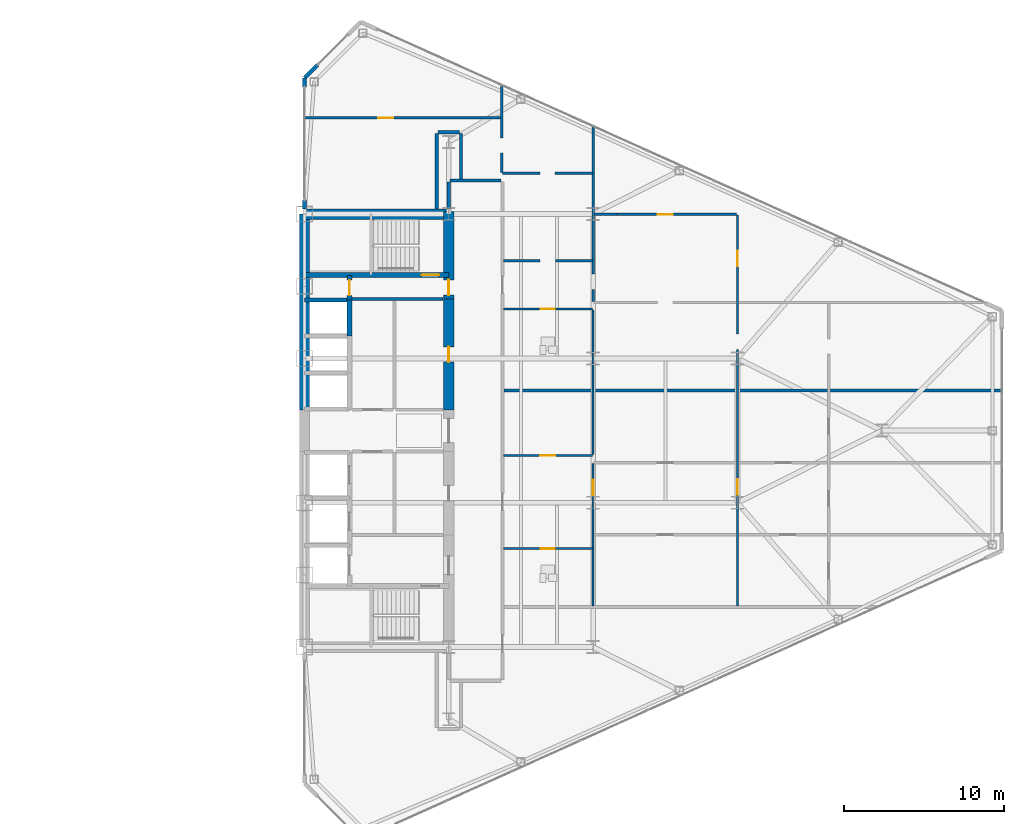
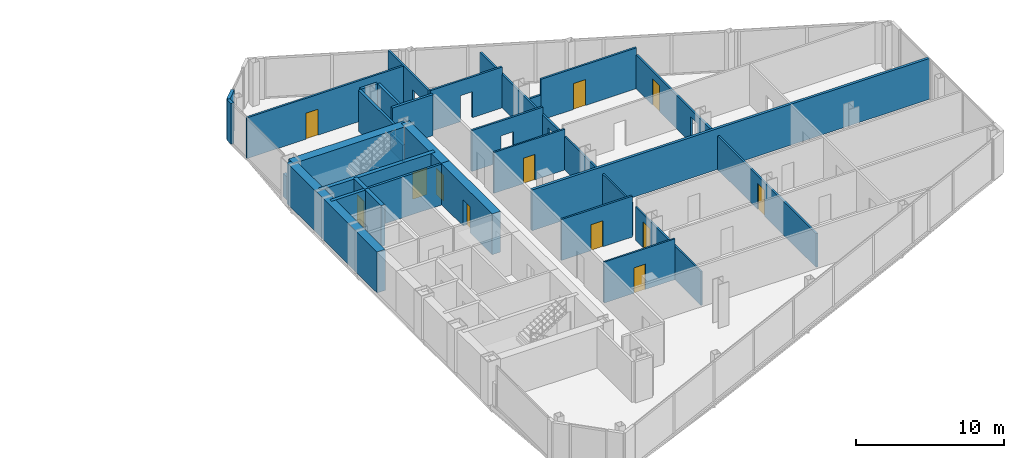
# One storey, part 23 of 27: 31 walls, 12 doors, 17 openings.
"""IFC4 building model written with IfcOpenShell, lengths in metres."""

from ifc_helpers import new_model, si_unit, direction, frame, frame_2d, origin, place, context, subcontext, project, spatial, rectangle, extrude, source, transform, mapped, material, layer, layer_set, type_object, type_shapes, element, fill, save


model = new_model("IFC4")

# Units and contexts
model_context = context("Model", 3, precision=1e-05, world=origin(), true_north=direction((0.0, 1.0)))
body_context = subcontext(model_context, "Body", "Model", "MODEL_VIEW")
ifc_project = project(units=[si_unit("LENGTHUNIT", "METRE"), si_unit("AREAUNIT", "SQUARE_METRE"), si_unit("VOLUMEUNIT", "CUBIC_METRE"), si_unit("PLANEANGLEUNIT", "RADIAN"), si_unit("MASSUNIT", "GRAM", prefix="KILO")], contexts=[model_context])

# Site, building, storey
site_placement = place(None, origin())
site = spatial("IfcSite", under=ifc_project, at=site_placement, CompositionType="ELEMENT")
building_placement = place(site_placement, origin())
building = spatial("IfcBuilding", under=site, at=building_placement, Name="Seokmaru Belvedere", CompositionType="ELEMENT")
storey_placement = place(building_placement, frame((0.0, 0.0, 106.800048828125)))
storey = spatial("IfcBuildingStorey", under=building, at=storey_placement, Name="L28", CompositionType="ELEMENT", Elevation=106.800048828125)

# Wall, opening, door
ifc_material_1 = material(Name="Fire-Rated Gypsum Shaftwall")
ifc_layer_1 = layer(ifc_material_1, 0.14990234375)
ifc_layer_set_1 = layer_set([ifc_layer_1], Name="Fire-Rated Gypsum Shaftwall")
wall_type_1 = type_object("IfcWallType", Name="Apartment Fire-Acoustic Room Partition 150", PredefinedType="PARTITIONING", material=ifc_layer_set_1)
wall_1_placement = place(storey_placement, frame((39.89990234375, -1.550048828125, 0.0), z_axis=(0.0, 0.0, 1.0), x_axis=(1.0, 0.0, 0.0)))
wall_1 = element("IfcWall", 1, at=wall_1_placement, inside=storey, type_object=wall_type_1, Name="L28 Interior Partition 016", PredefinedType="PARTITIONING", context=body_context, shape_type="SweptSolid", body=[
    extrude(rectangle(XDim=5.550048828125, YDim=0.14990234375, at=frame_2d((2.77490234375, 0.0))), origin(), (0.0, 0.0, 1.0), 3.3798828125),
])
opening_1_placement = place(wall_1_placement, frame((2.300048828125, 0.0, 0.0)))
opening_1 = element("IfcOpeningElement", 2, at=opening_1_placement, cuts=wall_1, Name="Opening D05", PredefinedType="OPENING", context=body_context, shape_type="SweptSolid", body=[
    extrude(rectangle(XDim=0.949951171875, YDim=2.14990234375, at=frame_2d((0.47509765625, 1.074951171875))), frame((0.0, 0.0849609375, 0.0), z_axis=(0.0, -1.0, 0.0), x_axis=(1.0, 0.0, 0.0)), (0.0, 0.0, 1.0), 0.169921875),
])
ifc_material_2 = material(Name="Engineered White Oak Timber", Category="wood")
door_type_1 = type_object("IfcDoorType", Name="Apartment Interior Fire-Rated Oak Door 950x2150", OperationType="NOTDEFINED", PredefinedType="DOOR", material=ifc_material_2)
shared_shape_1 = source(origin(), body_context, "Body", "SweptSolid", [
    extrude(rectangle(XDim=0.949951171875, YDim=2.14990234375, at=frame_2d((0.47509765625, 1.074951171875))), frame((0.0, 0.02490234375, 0.0), z_axis=(0.0, -1.0, 0.0), x_axis=(1.0, 0.0, 0.0)), (0.0, 0.0, 1.0), 0.050048828125),
])
type_shapes(door_type_1, [shared_shape_1])
door_1_placement = place(opening_1_placement, origin())
door_1 = element("IfcDoor", 3, at=door_1_placement, inside=storey, type_object=door_type_1, Name="L28 Interior Door 039", OperationType="SINGLE_SWING_RIGHT", OverallHeight=2.14990234375, OverallWidth=0.949951171875, PredefinedType="DOOR", context=body_context, shape_type="MappedRepresentation", body=[
    mapped(shared_shape_1, transform((0.0, 0.0, 0.0), scale=1.0)),
])
fill(opening_1, door_1)

# Wall, opening
wall_2_placement = place(storey_placement, frame((39.89990234375, 10.580078125, 0.0), z_axis=(0.0, 0.0, 1.0), x_axis=(1.0, 0.0, 0.0)))
wall_2 = element("IfcWall", 4, at=wall_2_placement, inside=storey, type_object=wall_type_1, Name="L28 Interior Partition 026", PredefinedType="PARTITIONING", context=body_context, shape_type="SweptSolid", body=[
    extrude(rectangle(XDim=5.550048828125, YDim=0.14990234375, at=frame_2d((2.77490234375, 0.0))), origin(), (0.0, 0.0, 1.0), 3.3798828125),
])
opening_2_placement = place(wall_2_placement, frame((2.300048828125, 0.0, 0.0)))
element("IfcOpeningElement", 5, at=opening_2_placement, cuts=wall_2, Name="L28 Cased Opening 051", PredefinedType="OPENING", context=body_context, shape_type="SweptSolid", body=[
    extrude(rectangle(XDim=0.949951171875, YDim=2.14990234375, at=frame_2d((0.47509765625, 1.074951171875))), frame((0.0, 0.0849609375, 0.0), z_axis=(0.0, -1.0, 0.0), x_axis=(1.0, 0.0, 0.0)), (0.0, 0.0, 1.0), 0.169921875),
])

# Wall
wall_3_placement = place(storey_placement, frame((45.550048828125, 13.47998046875, 0.0), z_axis=(0.0, 0.0, 1.0), x_axis=(1.0, 0.0, 0.0)))
element("IfcWall", 6, at=wall_3_placement, inside=storey, type_object=wall_type_1, Name="L28 Interior Partition 027", PredefinedType="PARTITIONING", context=body_context, shape_type="SweptSolid", body=[
    extrude(rectangle(XDim=1.42431640625, YDim=0.14990234375, at=frame_2d((0.712158203125, 0.0))), origin(), (0.0, 0.0, 1.0), 2.079833984375),
])

# Wall, opening, door
wall_4_placement = place(storey_placement, frame((46.974365234375, 13.47998046875, 0.0), z_axis=(0.0, 0.0, 1.0), x_axis=(1.0, 0.0, 0.0)))
wall_4 = element("IfcWall", 7, at=wall_4_placement, inside=storey, type_object=wall_type_1, Name="L28 Interior Partition 027 Part 2", PredefinedType="PARTITIONING", context=body_context, shape_type="SweptSolid", body=[
    extrude(rectangle(XDim=7.4755859375, YDim=0.14990234375, at=frame_2d((3.73779296875, 0.0))), origin(), (0.0, 0.0, 1.0), 3.3798828125),
])
opening_3_placement = place(wall_4_placement, frame((2.55078125, 0.0, 0.0)))
opening_3 = element("IfcOpeningElement", 8, at=opening_3_placement, cuts=wall_4, Name="Opening D05", PredefinedType="OPENING", context=body_context, shape_type="SweptSolid", body=[
    extrude(rectangle(XDim=0.949951171875, YDim=2.14990234375, at=frame_2d((0.47509765625, 1.074951171875))), frame((0.0, 0.0849609375, 0.0), z_axis=(0.0, -1.0, 0.0), x_axis=(1.0, 0.0, 0.0)), (0.0, 0.0, 1.0), 0.169921875),
])
door_2_placement = place(opening_3_placement, origin())
door_2 = element("IfcDoor", 9, at=door_2_placement, inside=storey, type_object=door_type_1, Name="L28 Interior Door 055", OperationType="SINGLE_SWING_LEFT", OverallHeight=2.14990234375, OverallWidth=0.949951171875, PredefinedType="DOOR", context=body_context, shape_type="MappedRepresentation", body=[
    mapped(shared_shape_1, transform((0.0, 0.0, 0.0), scale=1.0)),
])
fill(opening_3, door_2)

# Wall, opening
wall_5_placement = place(storey_placement, frame((39.85009765625, 16.06005859375, 0.0), z_axis=(0.0, 0.0, 1.0), x_axis=(1.0, 0.0, 0.0)))
wall_5 = element("IfcWall", 10, at=wall_5_placement, inside=storey, type_object=wall_type_1, Name="L28 Interior Partition 032", PredefinedType="PARTITIONING", context=body_context, shape_type="SweptSolid", body=[
    extrude(rectangle(XDim=5.599853515625, YDim=0.14990234375, at=frame_2d((2.7998046875, 0.0))), origin(), (0.0, 0.0, 1.0), 3.3798828125),
])
opening_4_placement = place(wall_5_placement, frame((2.324951171875, 0.0, 0.0)))
element("IfcOpeningElement", 11, at=opening_4_placement, cuts=wall_5, Name="L28 Cased Opening 058", PredefinedType="OPENING", context=body_context, shape_type="SweptSolid", body=[
    extrude(rectangle(XDim=0.949951171875, YDim=2.14990234375, at=frame_2d((0.47509765625, 1.074951171875))), frame((0.0, 0.0849609375, 0.0), z_axis=(0.0, -1.0, 0.0), x_axis=(1.0, 0.0, 0.0)), (0.0, 0.0, 1.0), 0.169921875),
])

# Wall, opening, door
wall_6_placement = place(storey_placement, frame((27.465087890625, 19.5, 0.0), z_axis=(0.0, 0.0, 1.0), x_axis=(1.0, 0.0, 0.0)))
wall_6 = element("IfcWall", 12, at=wall_6_placement, inside=storey, type_object=wall_type_1, Name="L28 Interior Partition 036", PredefinedType="PARTITIONING", context=body_context, shape_type="SweptSolid", body=[
    extrude(rectangle(XDim=12.284912109375, YDim=0.14990234375, at=frame_2d((6.142578125, 0.0))), origin(), (0.0, 0.0, 1.0), 3.3798828125),
])
opening_5_placement = place(wall_6_placement, frame((4.62548828125, 0.0, 0.0)))
opening_5 = element("IfcOpeningElement", 13, at=opening_5_placement, cuts=wall_6, Name="Opening D05", PredefinedType="OPENING", context=body_context, shape_type="SweptSolid", body=[
    extrude(rectangle(XDim=0.949951171875, YDim=2.14990234375, at=frame_2d((0.47509765625, 1.074951171875))), frame((0.0, 0.0849609375, 0.0), z_axis=(0.0, -1.0, 0.0), x_axis=(1.0, 0.0, 0.0)), (0.0, 0.0, 1.0), 0.169921875),
])
door_3_placement = place(opening_5_placement, origin())
door_3 = element("IfcDoor", 14, at=door_3_placement, inside=storey, type_object=door_type_1, Name="L28 Interior Door 060", OperationType="SINGLE_SWING_LEFT", OverallHeight=2.14990234375, OverallWidth=0.949951171875, PredefinedType="DOOR", context=body_context, shape_type="MappedRepresentation", body=[
    mapped(shared_shape_1, transform((0.0, 0.0, 0.0), scale=1.0)),
])
fill(opening_5, door_3)

# Wall, opening
wall_7_placement = place(storey_placement, frame((39.800048828125, 16.10888671875, 0.0), z_axis=(0.0, 0.0, 1.0), x_axis=(0.0, 1.0, 0.0)))
wall_7 = element("IfcWall", 15, at=wall_7_placement, inside=storey, type_object=wall_type_1, Name="L28 Interior Partition 059", PredefinedType="PARTITIONING", context=body_context, shape_type="SweptSolid", body=[
    extrude(rectangle(XDim=5.466064453125, YDim=0.14990234375, at=frame_2d((2.73291015625, 0.0))), origin(), (0.0, 0.0, 1.0), 3.3798828125),
])
opening_6_placement = place(wall_7_placement, frame((1.1953125, 0.0, 0.0)))
element("IfcOpeningElement", 16, at=opening_6_placement, cuts=wall_7, Name="L28 Cased Opening 059", PredefinedType="OPENING", context=body_context, shape_type="SweptSolid", body=[
    extrude(rectangle(XDim=0.949951171875, YDim=2.14990234375, at=frame_2d((0.47509765625, 1.074951171875))), frame((0.0, 0.0849609375, 0.0), z_axis=(0.0, -1.0, 0.0), x_axis=(1.0, 0.0, 0.0)), (0.0, 0.0, 1.0), 0.169921875),
])

wall_8_placement = place(storey_placement, frame((45.5, 8.0419921875, 0.0), z_axis=(0.0, 0.0, 1.0), x_axis=(0.0, 1.0, 0.0)))
wall_8 = element("IfcWall", 17, at=wall_8_placement, inside=storey, type_object=wall_type_1, Name="L28 Interior Partition 063", PredefinedType="PARTITIONING", context=body_context, shape_type="SweptSolid", body=[
    extrude(rectangle(XDim=10.968017578125, YDim=0.14990234375, at=frame_2d((5.48388671875, 0.0))), origin(), (0.0, 0.0, 1.0), 2.780029296875),
])
opening_7_placement = place(wall_8_placement, frame((0.767578125, 0.0, 0.0)))
element("IfcOpeningElement", 18, at=opening_7_placement, cuts=wall_8, Name="L28 Cased Opening 052", PredefinedType="OPENING", context=body_context, shape_type="SweptSolid", body=[
    extrude(rectangle(XDim=0.949951171875, YDim=2.14990234375, at=frame_2d((0.47509765625, 1.074951171875))), frame((0.0, 0.0849609375, 0.0), z_axis=(0.0, -1.0, 0.0), x_axis=(1.0, 0.0, 0.0)), (0.0, 0.0, 1.0), 0.169921875),
])

# Wall, openings, doors
wall_9_placement = place(storey_placement, frame((54.5, -10.949951171875, 0.0), z_axis=(0.0, 0.0, 1.0), x_axis=(0.0, 1.0, 0.0)))
wall_9 = element("IfcWall", 19, at=wall_9_placement, inside=storey, type_object=wall_type_1, Name="L28 Interior Partition 064", PredefinedType="PARTITIONING", context=body_context, shape_type="SweptSolid", body=[
    extrude(rectangle(XDim=24.383056640625, YDim=0.14990234375, at=frame_2d((12.19140625, 0.0))), origin(), (0.0, 0.0, 1.0), 2.780029296875),
])
opening_8_placement = place(wall_9_placement, frame((6.95703125, 0.0, 0.0)))
opening_8 = element("IfcOpeningElement", 20, at=opening_8_placement, cuts=wall_9, Name="Opening D05", PredefinedType="OPENING", context=body_context, shape_type="SweptSolid", body=[
    extrude(rectangle(XDim=0.949951171875, YDim=2.14990234375, at=frame_2d((0.47509765625, 1.074951171875))), frame((0.0, 0.0849609375, 0.0), z_axis=(0.0, -1.0, 0.0), x_axis=(1.0, 0.0, 0.0)), (0.0, 0.0, 1.0), 0.169921875),
])
opening_9_placement = place(wall_9_placement, frame((21.21240234375, 0.0, 0.0)))
opening_9 = element("IfcOpeningElement", 21, at=opening_9_placement, cuts=wall_9, Name="Opening D05", PredefinedType="OPENING", context=body_context, shape_type="SweptSolid", body=[
    extrude(rectangle(XDim=0.949951171875, YDim=2.14990234375, at=frame_2d((0.47509765625, 1.074951171875))), frame((0.0, 0.0849609375, 0.0), z_axis=(0.0, -1.0, 0.0), x_axis=(1.0, 0.0, 0.0)), (0.0, 0.0, 1.0), 0.169921875),
])
opening_10_placement = place(wall_9_placement, frame((16.01806640625, 0.0, 0.0)))
element("IfcOpeningElement", 22, at=opening_10_placement, cuts=wall_9, Name="L28 Cased Opening 056", PredefinedType="OPENING", context=body_context, shape_type="SweptSolid", body=[
    extrude(rectangle(XDim=0.949951171875, YDim=2.14990234375, at=frame_2d((0.47509765625, 1.074951171875))), frame((0.0, 0.0849609375, 0.0), z_axis=(0.0, -1.0, 0.0), x_axis=(1.0, 0.0, 0.0)), (0.0, 0.0, 1.0), 0.169921875),
])
door_4_placement = place(opening_8_placement, origin())
door_4 = element("IfcDoor", 23, at=door_4_placement, inside=storey, type_object=door_type_1, Name="L28 Interior Door 041", OperationType="SINGLE_SWING_RIGHT", OverallHeight=2.14990234375, OverallWidth=0.949951171875, PredefinedType="DOOR", context=body_context, shape_type="MappedRepresentation", body=[
    mapped(shared_shape_1, transform((0.0, 0.0, 0.0), scale=1.0)),
])
fill(opening_8, door_4)
door_5_placement = place(opening_9_placement, origin())
door_5 = element("IfcDoor", 24, at=door_5_placement, inside=storey, type_object=door_type_1, Name="L28 Interior Door 053", OperationType="SINGLE_SWING_LEFT", OverallHeight=2.14990234375, OverallWidth=0.949951171875, PredefinedType="DOOR", context=body_context, shape_type="MappedRepresentation", body=[
    mapped(shared_shape_1, transform((0.0, 0.0, 0.0), scale=1.0)),
])
fill(opening_9, door_5)

# Walls
ifc_layer_2 = layer(ifc_material_1, 0.179931640625)
ifc_layer_set_2 = layer_set([ifc_layer_2], Name="Fire-Rated Gypsum Shaftwall")
wall_type_2 = type_object("IfcWallType", Name="Core Service Fire Partition 180", PredefinedType="PARTITIONING", material=ifc_layer_set_2)
wall_10_placement = place(storey_placement, frame((30.449951171875, 8.199951171875, 0.0), z_axis=(0.0, 0.0, 1.0), x_axis=(1.0, 0.0, 0.0)))
element("IfcWall", 25, at=wall_10_placement, inside=storey, type_object=wall_type_2, Name="L28 East Smokeproof Vestibule Partition", PredefinedType="PARTITIONING", context=body_context, shape_type="SweptSolid", body=[
    extrude(rectangle(XDim=5.699951171875, YDim=0.179931640625, at=frame_2d((2.85009765625, 0.0))), origin(), (0.0, 0.0, 1.0), 3.3798828125),
])
ifc_material_3 = material(Name="Concrete C50 (50 MPa)", Category="concrete")
ifc_layer_3 = layer(ifc_material_3, 0.25)
ifc_layer_set_3 = layer_set([ifc_layer_3], Name="Concrete C50 (50 MPa)")
wall_type_3 = type_object("IfcWallType", Name="Hoistway Transverse Concrete Divider Wall 250", PredefinedType="SHEAR", material=ifc_layer_set_3)
wall_11_placement = place(storey_placement, frame((27.5, 8.14990234375, 0.0), z_axis=(0.0, 0.0, 1.0), x_axis=(1.0, 0.0, 0.0)))
element("IfcWall", 26, at=wall_11_placement, inside=storey, type_object=wall_type_3, Name="L28 East Hoistway Divider Core Wall 7", PredefinedType="SHEAR", context=body_context, shape_type="SweptSolid", body=[
    extrude(rectangle(XDim=2.800048828125, YDim=0.25, at=frame_2d((1.39990234375, 0.0))), origin(), (0.0, 0.0, 1.0), 3.3798828125),
])
ifc_layer_4 = layer(ifc_material_1, 0.199951171875)
ifc_layer_set_4 = layer_set([ifc_layer_4], Name="Fire-Rated Gypsum Shaftwall")
wall_type_4 = type_object("IfcWallType", Name="Inter-Tenancy Fire Compartment Partition 200", PredefinedType="PARTITIONING", material=ifc_layer_set_4)
wall_12_placement = place(storey_placement, frame((39.929931640625, 2.5, 0.0), z_axis=(0.0, 0.0, 1.0), x_axis=(1.0, 0.0, 0.0)))
element("IfcWall", 27, at=wall_12_placement, inside=storey, type_object=wall_type_4, Name="L28 Interior Partition 019", PredefinedType="PARTITIONING", context=body_context, shape_type="SweptSolid", body=[
    extrude(rectangle(XDim=31.074951171875, YDim=0.199951171875, at=frame_2d((15.53759765625, 0.0))), origin(), (0.0, 0.0, 1.0), 3.3798828125),
])
wall_13_placement = place(storey_placement, frame((36.5849609375, 15.60009765625, 0.0), z_axis=(0.0, 0.0, 1.0), x_axis=(1.0, 0.0, 0.0)))
element("IfcWall", 28, at=wall_13_placement, inside=storey, type_object=wall_type_4, Name="L28 Interior Partition 030", PredefinedType="PARTITIONING", context=body_context, shape_type="SweptSolid", body=[
    extrude(rectangle(XDim=3.179931640625, YDim=0.199951171875, at=frame_2d((1.58984375, 0.0))), origin(), (0.0, 0.0, 1.0), 3.3798828125),
])
wall_14_placement = place(storey_placement, frame((35.8349609375, 18.60009765625, 0.0), z_axis=(0.0, 0.0, 1.0), x_axis=(1.0, 0.0, 0.0)))
element("IfcWall", 29, at=wall_14_placement, inside=storey, type_object=wall_type_4, Name="L28 Interior Partition 034", PredefinedType="PARTITIONING", context=body_context, shape_type="SweptSolid", body=[
    extrude(rectangle(XDim=1.330078125, YDim=0.199951171875, at=frame_2d((0.6650390625, 0.0))), origin(), (0.0, 0.0, 1.0), 3.3798828125),
])
wall_15_placement = place(storey_placement, frame((35.75, 13.830078125, 0.0), z_axis=(0.0, 0.0, 1.0), x_axis=(0.0, 1.0, 0.0)))
element("IfcWall", 30, at=wall_15_placement, inside=storey, type_object=wall_type_4, Name="L28 Interior Partition 054", PredefinedType="PARTITIONING", context=body_context, shape_type="SweptSolid", body=[
    extrude(rectangle(XDim=4.684814453125, YDim=0.199951171875, at=frame_2d((2.34228515625, 0.0))), origin(), (0.0, 0.0, 1.0), 3.3798828125),
])
wall_16_placement = place(storey_placement, frame((36.5, 13.830078125, 0.0), z_axis=(0.0, 0.0, 1.0), x_axis=(0.0, 1.0, 0.0)))
element("IfcWall", 31, at=wall_16_placement, inside=storey, type_object=wall_type_4, Name="L28 Interior Partition 056", PredefinedType="PARTITIONING", context=body_context, shape_type="SweptSolid", body=[
    extrude(rectangle(XDim=1.684814453125, YDim=0.199951171875, at=frame_2d((0.84228515625, 0.0))), origin(), (0.0, 0.0, 1.0), 1.3798828125),
])
wall_17_placement = place(storey_placement, frame((37.25, 15.68505859375, 0.0), z_axis=(0.0, 0.0, 1.0), x_axis=(0.0, 1.0, 0.0)))
element("IfcWall", 32, at=wall_17_placement, inside=storey, type_object=wall_type_4, Name="L28 Interior Partition 058", PredefinedType="PARTITIONING", context=body_context, shape_type="SweptSolid", body=[
    extrude(rectangle(XDim=2.829833984375, YDim=0.199951171875, at=frame_2d((1.4150390625, 0.0))), origin(), (0.0, 0.0, 1.0), 3.3798828125),
])

# Wall, opening, door
ifc_layer_5 = layer(ifc_material_3, 0.300048828125)
ifc_layer_set_5 = layer_set([ifc_layer_5], Name="Concrete C50 (50 MPa)")
wall_type_5 = type_object("IfcWallType", Name="Internal Core Stair and Hoistway Wall 300", PredefinedType="SHEAR", material=ifc_layer_set_5)
wall_18_placement = place(storey_placement, frame((27.5, 9.699951171875, 0.0), z_axis=(0.0, 0.0, 1.0), x_axis=(1.0, 0.0, 0.0)))
wall_18 = element("IfcWall", 33, at=wall_18_placement, inside=storey, type_object=wall_type_5, Name="L28 East Stair ST-2 Enclosure Wall", PredefinedType="SHEAR", context=body_context, shape_type="SweptSolid", body=[
    extrude(rectangle(XDim=9.0, YDim=0.300048828125, at=frame_2d((4.5, 0.0))), origin(), (0.0, 0.0, 1.0), 3.3798828125),
])
opening_11_placement = place(wall_18_placement, frame((7.300048828125, 0.0, 0.0)))
opening_11 = element("IfcOpeningElement", 34, at=opening_11_placement, cuts=wall_18, Name="Opening D01", PredefinedType="OPENING", context=body_context, shape_type="SweptSolid", body=[
    extrude(rectangle(XDim=1.10009765625, YDim=2.199951171875, at=frame_2d((0.550048828125, 1.10009765625))), frame((0.0, 0.16015625, 0.0), z_axis=(0.0, -1.0, 0.0), x_axis=(1.0, 0.0, 0.0)), (0.0, 0.0, 1.0), 0.320068359375),
])
ifc_material_4 = material(Name="Fire-Rated Steel Leaf", Category="steel")
door_type_2 = type_object("IfcDoorType", Name="Special Escape Stair Smokeproof Fire Door 1100x2200", OperationType="NOTDEFINED", PredefinedType="DOOR", material=ifc_material_4)
shared_shape_2 = source(origin(), body_context, "Body", "SweptSolid", [
    extrude(rectangle(XDim=1.10009765625, YDim=2.199951171875, at=frame_2d((0.550048828125, 1.10009765625))), frame((0.0, 0.02490234375, 0.0), z_axis=(0.0, -1.0, 0.0), x_axis=(1.0, 0.0, 0.0)), (0.0, 0.0, 1.0), 0.050048828125),
])
type_shapes(door_type_2, [shared_shape_2])
door_6_placement = place(opening_11_placement, origin())
door_6 = element("IfcDoor", 35, at=door_6_placement, inside=storey, type_object=door_type_2, Name="L28 East Special Escape Stair ST-2 Door", OperationType="SINGLE_SWING_LEFT", OverallHeight=2.199951171875, OverallWidth=1.10009765625, PredefinedType="DOOR", context=body_context, shape_type="MappedRepresentation", body=[
    mapped(shared_shape_2, transform((0.0, 0.0, 0.0), scale=1.0)),
])
fill(opening_11, door_6)

# Wall
wall_19_placement = place(storey_placement, frame((30.300048828125, 5.89990234375, 0.0), z_axis=(0.0, 0.0, 1.0), x_axis=(0.0, 1.0, 0.0)))
element("IfcWall", 36, at=wall_19_placement, inside=storey, type_object=wall_type_5, Name="L28 East North Hoistway Wall OBS", PredefinedType="SHEAR", context=body_context, shape_type="SweptSolid", body=[
    extrude(rectangle(XDim=2.25, YDim=0.300048828125, at=frame_2d((1.125, 0.0))), origin(), (0.0, 0.0, 1.0), 3.3798828125),
])

# Wall, opening, door
wall_20_placement = place(storey_placement, frame((30.300048828125, 8.14990234375, 0.0), z_axis=(0.0, 0.0, 1.0), x_axis=(0.0, 1.0, 0.0)))
wall_20 = element("IfcWall", 37, at=wall_20_placement, inside=storey, type_object=wall_type_5, Name="L28 East Electrical Riser Front Wall", PredefinedType="SHEAR", context=body_context, shape_type="SweptSolid", body=[
    extrude(rectangle(XDim=1.530029296875, YDim=0.300048828125, at=frame_2d((0.76513671875, 0.0))), origin(), (0.0, 0.0, 1.0), 3.3798828125),
])
opening_12_placement = place(wall_20_placement, frame((0.284912109375, 0.0, 0.0)))
opening_12 = element("IfcOpeningElement", 38, at=opening_12_placement, cuts=wall_20, Name="Opening D04", PredefinedType="OPENING", context=body_context, shape_type="SweptSolid", body=[
    extrude(rectangle(XDim=0.949951171875, YDim=2.14990234375, at=frame_2d((0.47509765625, 1.074951171875))), frame((0.0, 0.16015625, 0.0), z_axis=(0.0, -1.0, 0.0), x_axis=(1.0, 0.0, 0.0)), (0.0, 0.0, 1.0), 0.320068359375),
])
door_type_3 = type_object("IfcDoorType", Name="Core Service Room Fire Door 950x2150", OperationType="NOTDEFINED", PredefinedType="DOOR", material=ifc_material_4)
shared_shape_3 = source(origin(), body_context, "Body", "SweptSolid", [
    extrude(rectangle(XDim=0.949951171875, YDim=2.14990234375, at=frame_2d((0.47509765625, 1.074951171875))), frame((0.0, 0.02490234375, 0.0), z_axis=(0.0, -1.0, 0.0), x_axis=(1.0, 0.0, 0.0)), (0.0, 0.0, 1.0), 0.050048828125),
])
type_shapes(door_type_3, [shared_shape_3])
door_7_placement = place(opening_12_placement, origin())
door_7 = element("IfcDoor", 39, at=door_7_placement, inside=storey, type_object=door_type_3, Name="L28 East Electrical Riser Access Door", OperationType="SINGLE_SWING_RIGHT", OverallHeight=2.14990234375, OverallWidth=0.949951171875, PredefinedType="DOOR", context=body_context, shape_type="MappedRepresentation", body=[
    mapped(shared_shape_3, transform((0.0, 0.0, 0.0), scale=1.0)),
])
fill(opening_12, door_7)

# Walls
ifc_material_5 = material(Name="Concrete C60 (60 MPa)", Category="concrete")
ifc_layer_6 = layer(ifc_material_5, 0.64990234375)
ifc_layer_set_6 = layer_set([ifc_layer_6], Name="Concrete C60 (60 MPa)")
wall_type_6 = type_object("IfcWallType", Name="Mid-Low Reinforced Concrete Core Wall 650", PredefinedType="SHEAR", material=ifc_layer_set_6)
wall_21_placement = place(storey_placement, frame((27.5, 1.300048828125, 0.0), z_axis=(0.0, 0.0, 1.0), x_axis=(0.0, 1.0, 0.0)))
element("IfcWall", 40, at=wall_21_placement, inside=storey, type_object=wall_type_6, Name="L28 East Portal Spine Core Wall North", PredefinedType="SHEAR", context=body_context, shape_type="SweptSolid", body=[
    extrude(rectangle(XDim=12.199951171875, YDim=0.64990234375, at=frame_2d((6.10009765625, 0.0))), origin(), (0.0, 0.0, 1.0), 3.3798828125),
])
wall_22_placement = place(storey_placement, frame((27.5, 13.5, 0.0), z_axis=(0.0, 0.0, 1.0), x_axis=(1.0, 0.0, 0.0)))
element("IfcWall", 41, at=wall_22_placement, inside=storey, type_object=wall_type_6, Name="L28 East North Core Wall", PredefinedType="SHEAR", context=body_context, shape_type="SweptSolid", body=[
    extrude(rectangle(XDim=9.0, YDim=0.64990234375, at=frame_2d((4.5, 0.0))), origin(), (0.0, 0.0, 1.0), 3.3798828125),
])

# Wall, opening, door
wall_23_placement = place(storey_placement, frame((36.5, 8.199951171875, 0.0), z_axis=(0.0, 0.0, 1.0), x_axis=(0.0, 1.0, 0.0)))
wall_23 = element("IfcWall", 42, at=wall_23_placement, inside=storey, type_object=wall_type_6, Name="L28 East West Core Wall VST", PredefinedType="SHEAR", context=body_context, shape_type="SweptSolid", body=[
    extrude(rectangle(XDim=5.449951171875, YDim=0.64990234375, at=frame_2d((2.72509765625, 0.0))), origin(), (0.0, 0.0, 1.0), 3.3798828125),
])
opening_13_placement = place(wall_23_placement, frame((0.2451171875, 0.0, 0.0)))
opening_13 = element("IfcOpeningElement", 43, at=opening_13_placement, cuts=wall_23, Name="Opening D04", PredefinedType="OPENING", context=body_context, shape_type="SweptSolid", body=[
    extrude(rectangle(XDim=0.949951171875, YDim=2.14990234375, at=frame_2d((0.47509765625, 1.074951171875))), frame((0.0, 0.3349609375, 0.0), z_axis=(0.0, -1.0, 0.0), x_axis=(1.0, 0.0, 0.0)), (0.0, 0.0, 1.0), 0.669921875),
])
door_8_placement = place(opening_13_placement, origin())
door_8 = element("IfcDoor", 44, at=door_8_placement, inside=storey, type_object=door_type_3, Name="L28 East Smokeproof Vestibule Door", OperationType="SINGLE_SWING_LEFT", OverallHeight=2.14990234375, OverallWidth=0.949951171875, PredefinedType="DOOR", context=body_context, shape_type="MappedRepresentation", body=[
    mapped(shared_shape_3, transform((0.0, 0.0, 0.0), scale=1.0)),
])
fill(opening_13, door_8)

wall_24_placement = place(storey_placement, frame((36.5, 1.300048828125, 0.0), z_axis=(0.0, 0.0, 1.0), x_axis=(0.0, 1.0, 0.0)))
wall_24 = element("IfcWall", 45, at=wall_24_placement, inside=storey, type_object=wall_type_6, Name="L28 East West Core Wall CS2", PredefinedType="SHEAR", context=body_context, shape_type="SweptSolid", body=[
    extrude(rectangle(XDim=6.89990234375, YDim=0.64990234375, at=frame_2d((3.449951171875, 0.0))), origin(), (0.0, 0.0, 1.0), 3.3798828125),
])
opening_14_placement = place(wall_24_placement, frame((2.97509765625, 0.0, 0.0)))
opening_14 = element("IfcOpeningElement", 46, at=opening_14_placement, cuts=wall_24, Name="Opening D04", PredefinedType="OPENING", context=body_context, shape_type="SweptSolid", body=[
    extrude(rectangle(XDim=0.949951171875, YDim=2.14990234375, at=frame_2d((0.47509765625, 1.074951171875))), frame((0.0, 0.3349609375, 0.0), z_axis=(0.0, -1.0, 0.0), x_axis=(1.0, 0.0, 0.0)), (0.0, 0.0, 1.0), 0.669921875),
])
door_9_placement = place(opening_14_placement, origin())
door_9 = element("IfcDoor", 47, at=door_9_placement, inside=storey, type_object=door_type_3, Name="L28 East Core Service Room Door 2", OperationType="SINGLE_SWING_LEFT", OverallHeight=2.14990234375, OverallWidth=0.949951171875, PredefinedType="DOOR", context=body_context, shape_type="MappedRepresentation", body=[
    mapped(shared_shape_3, transform((0.0, 0.0, 0.0), scale=1.0)),
])
fill(opening_14, door_9)

ifc_layer_7 = layer(ifc_material_1, 0.1298828125)
ifc_layer_set_7 = layer_set([ifc_layer_7], Name="Fire-Rated Gypsum Shaftwall")
wall_type_7 = type_object("IfcWallType", Name="Moisture-Resistant Fire-Rated Bathroom Partition 130", PredefinedType="PARTITIONING", material=ifc_layer_set_7)
wall_25_placement = place(storey_placement, frame((39.89990234375, -7.360107421875, 0.0), z_axis=(0.0, 0.0, 1.0), x_axis=(1.0, 0.0, 0.0)))
wall_25 = element("IfcWall", 48, at=wall_25_placement, inside=storey, type_object=wall_type_7, Name="L28 Interior Partition 011", PredefinedType="PARTITIONING", context=body_context, shape_type="SweptSolid", body=[
    extrude(rectangle(XDim=5.550048828125, YDim=0.1298828125, at=frame_2d((2.77490234375, 0.0))), origin(), (0.0, 0.0, 1.0), 3.3798828125),
])
opening_15_placement = place(wall_25_placement, frame((2.3349609375, 0.0, 0.0)))
opening_15 = element("IfcOpeningElement", 49, at=opening_15_placement, cuts=wall_25, Name="Opening D06", PredefinedType="OPENING", context=body_context, shape_type="SweptSolid", body=[
    extrude(rectangle(XDim=0.8798828125, YDim=2.10009765625, at=frame_2d((0.43994140625, 1.050048828125))), frame((0.0, 0.074951171875, 0.0), z_axis=(0.0, -1.0, 0.0), x_axis=(1.0, 0.0, 0.0)), (0.0, 0.0, 1.0), 0.14990234375),
])
door_type_4 = type_object("IfcDoorType", Name="Bathroom and Restroom Fire-Rated Door 880x2100", OperationType="NOTDEFINED", PredefinedType="DOOR", material=ifc_material_2)
shared_shape_4 = source(origin(), body_context, "Body", "SweptSolid", [
    extrude(rectangle(XDim=0.8798828125, YDim=2.10009765625, at=frame_2d((0.43994140625, 1.050048828125))), frame((0.0, 0.02490234375, 0.0), z_axis=(0.0, -1.0, 0.0), x_axis=(1.0, 0.0, 0.0)), (0.0, 0.0, 1.0), 0.050048828125),
])
type_shapes(door_type_4, [shared_shape_4])
door_10_placement = place(opening_15_placement, origin())
door_10 = element("IfcDoor", 50, at=door_10_placement, inside=storey, type_object=door_type_4, Name="L28 Interior Door 038", OperationType="SINGLE_SWING_RIGHT", OverallHeight=2.10009765625, OverallWidth=0.8798828125, PredefinedType="DOOR", context=body_context, shape_type="MappedRepresentation", body=[
    mapped(shared_shape_4, transform((0.0, 0.0, 0.0), scale=1.0)),
])
fill(opening_15, door_10)

wall_26_placement = place(storey_placement, frame((39.89990234375, 7.580078125, 0.0), z_axis=(0.0, 0.0, 1.0), x_axis=(1.0, 0.0, 0.0)))
wall_26 = element("IfcWall", 51, at=wall_26_placement, inside=storey, type_object=wall_type_7, Name="L28 Interior Partition 022", PredefinedType="PARTITIONING", context=body_context, shape_type="SweptSolid", body=[
    extrude(rectangle(XDim=5.550048828125, YDim=0.1298828125, at=frame_2d((2.77490234375, 0.0))), origin(), (0.0, 0.0, 1.0), 3.3798828125),
])
opening_16_placement = place(wall_26_placement, frame((2.3349609375, 0.0, 0.0)))
opening_16 = element("IfcOpeningElement", 52, at=opening_16_placement, cuts=wall_26, Name="Opening D06", PredefinedType="OPENING", context=body_context, shape_type="SweptSolid", body=[
    extrude(rectangle(XDim=0.8798828125, YDim=2.10009765625, at=frame_2d((0.43994140625, 1.050048828125))), frame((0.0, 0.074951171875, 0.0), z_axis=(0.0, -1.0, 0.0), x_axis=(1.0, 0.0, 0.0)), (0.0, 0.0, 1.0), 0.14990234375),
])
door_11_placement = place(opening_16_placement, origin())
door_11 = element("IfcDoor", 53, at=door_11_placement, inside=storey, type_object=door_type_4, Name="L28 Interior Door 050", OperationType="SINGLE_SWING_RIGHT", OverallHeight=2.10009765625, OverallWidth=0.8798828125, PredefinedType="DOOR", context=body_context, shape_type="MappedRepresentation", body=[
    mapped(shared_shape_4, transform((0.0, 0.0, 0.0), scale=1.0)),
])
fill(opening_16, door_11)

wall_27_placement = place(storey_placement, frame((45.5, -10.949951171875, 0.0), z_axis=(0.0, 0.0, 1.0), x_axis=(0.0, 1.0, 0.0)))
wall_27 = element("IfcWall", 54, at=wall_27_placement, inside=storey, type_object=wall_type_7, Name="L28 Interior Partition 061", PredefinedType="PARTITIONING", context=body_context, shape_type="SweptSolid", body=[
    extrude(rectangle(XDim=8.89990234375, YDim=0.1298828125, at=frame_2d((4.449951171875, 0.0))), origin(), (0.0, 0.0, 1.0), 2.780029296875),
])
opening_17_placement = place(wall_27_placement, frame((6.922607421875, 0.0, 0.0)))
opening_17 = element("IfcOpeningElement", 55, at=opening_17_placement, cuts=wall_27, Name="Opening D05", PredefinedType="OPENING", context=body_context, shape_type="SweptSolid", body=[
    extrude(rectangle(XDim=0.949951171875, YDim=2.14990234375, at=frame_2d((0.47509765625, 1.074951171875))), frame((0.0, 0.074951171875, 0.0), z_axis=(0.0, -1.0, 0.0), x_axis=(1.0, 0.0, 0.0)), (0.0, 0.0, 1.0), 0.14990234375),
])
door_12_placement = place(opening_17_placement, origin())
door_12 = element("IfcDoor", 56, at=door_12_placement, inside=storey, type_object=door_type_1, Name="L28 Interior Door 040", OperationType="SINGLE_SWING_LEFT", OverallHeight=2.14990234375, OverallWidth=0.949951171875, PredefinedType="DOOR", context=body_context, shape_type="MappedRepresentation", body=[
    mapped(shared_shape_1, transform((0.0, 0.0, 0.0), scale=1.0)),
])
fill(opening_17, door_12)

# Walls
wall_28_placement = place(storey_placement, frame((45.5, -1.498046875, 0.0), z_axis=(0.0, 0.0, 1.0), x_axis=(0.0, 1.0, 0.0)))
element("IfcWall", 57, at=wall_28_placement, inside=storey, type_object=wall_type_7, Name="L28 Interior Partition 062", PredefinedType="PARTITIONING", context=body_context, shape_type="SweptSolid", body=[
    extrude(rectangle(XDim=9.025146484375, YDim=0.1298828125, at=frame_2d((4.5126953125, 0.0))), origin(), (0.0, 0.0, 1.0), 2.780029296875),
])
ifc_material_6 = material(Name="Anodised Bronze Aluminium", Category="aluminium")
ifc_layer_8 = layer(ifc_material_6, 0.239990234375)
ifc_layer_set_8 = layer_set([ifc_layer_8], Name="Anodised Bronze Aluminium")
wall_type_8 = type_object("IfcWallType", Name="Tower Corner Spandrel Closure Wall 240", PredefinedType="SOLIDWALL", material=ifc_layer_set_8)
wall_29_placement = place(storey_placement, frame((28.313232421875, 22.813232421875, 0.0), z_axis=(0.0, 0.0, 1.0), x_axis=(-0.707106781187, -0.707106781187, 0.0)))
element("IfcWall", 58, at=wall_29_placement, inside=storey, type_object=wall_type_8, Name="L28 E Corner Closure Pier 4B", PredefinedType="SOLIDWALL", context=body_context, shape_type="SweptSolid", body=[
    extrude(rectangle(XDim=1.14013671875, YDim=0.239990234375, at=frame_2d((0.570068359375, 0.0))), origin(), (0.0, 0.0, 1.0), 3.3798828125),
])
wall_30_placement = place(storey_placement, frame((27.5, 13.830078125, 0.0), z_axis=(0.0, 0.0, 1.0), x_axis=(0.0, 1.0, 0.0)))
element("IfcWall", 59, at=wall_30_placement, inside=storey, type_object=wall_type_8, Name="L28 E Spine Closure Pier 2A", PredefinedType="SOLIDWALL", context=body_context, shape_type="SweptSolid", body=[
    extrude(rectangle(XDim=0.5498046875, YDim=0.239990234375, at=frame_2d((0.27490234375, 0.0))), origin(), (0.0, 0.0, 1.0), 1.8798828125),
])
wall_31_placement = place(storey_placement, frame((27.5, 21.429931640625, 0.0), z_axis=(0.0, 0.0, 1.0), x_axis=(0.0, 1.0, 0.0)))
element("IfcWall", 60, at=wall_31_placement, inside=storey, type_object=wall_type_8, Name="L28 E Spine Closure Pier 2B", PredefinedType="SOLIDWALL", context=body_context, shape_type="SweptSolid", body=[
    extrude(rectangle(XDim=0.550048828125, YDim=0.239990234375, at=frame_2d((0.27490234375, 0.0))), origin(), (0.0, 0.0, 1.0), 3.3798828125),
])

save(model, "model.ifc")
